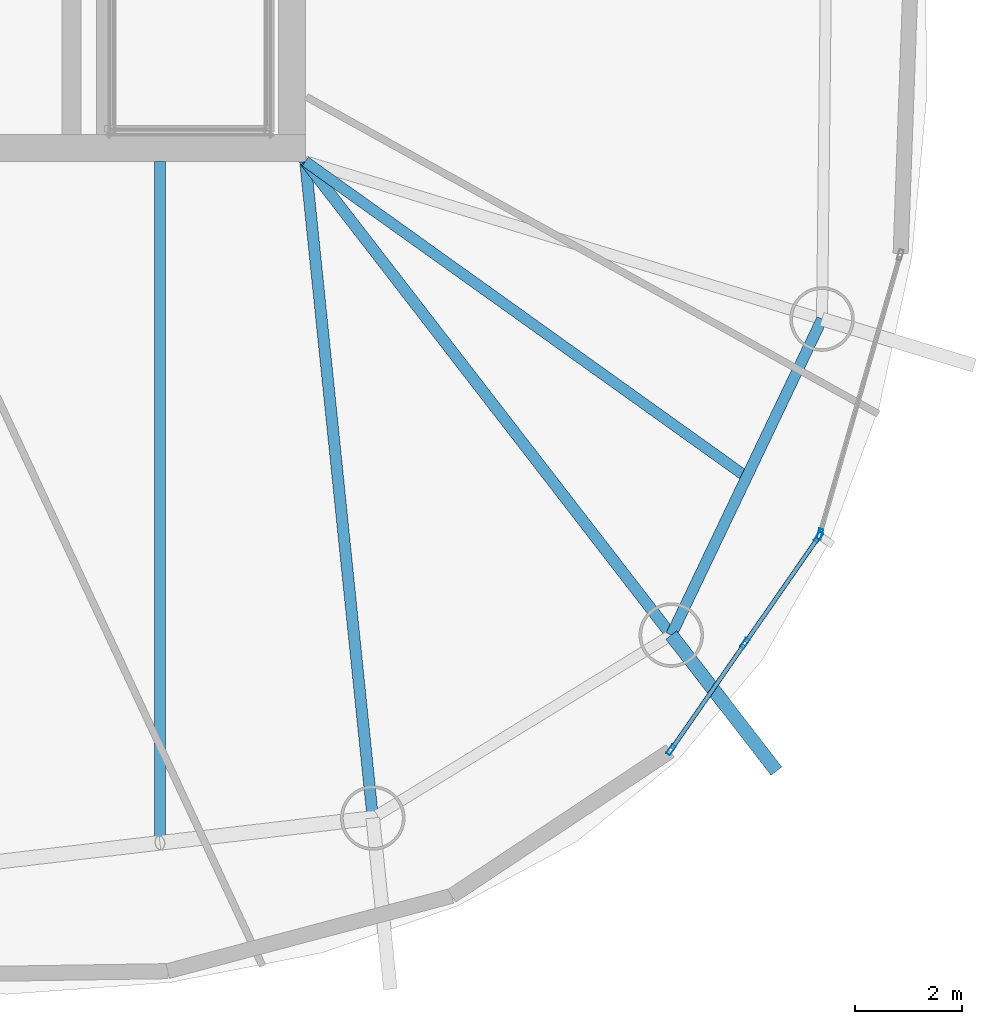
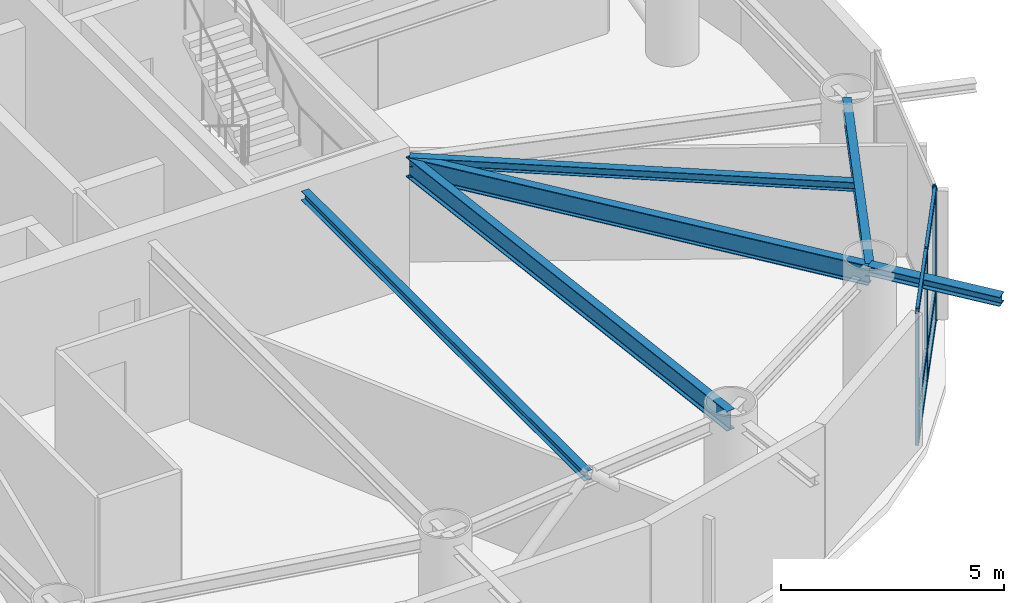
# One storey, part 6 of 22: 10 members, 6 beams, 2 elements without a shape of their own.
"""IFC4 building model written with IfcOpenShell, lengths in metres."""

from ifc_helpers import new_model, si_unit, direction, frame, origin, origin_2d, place, context, subcontext, project, spatial, hollow_rectangle, i_section, extrude, material, layer, layer_set, material_profile, profile_set, type_object, element, aggregate, save


model = new_model("IFC4")

# Units and contexts
model_context = context("Model", 3, precision=1e-05, world=origin(), true_north=direction((0.0, 1.0)))
body_context = subcontext(model_context, "Body", "Model", "MODEL_VIEW")
ifc_project = project(units=[si_unit("LENGTHUNIT", "METRE"), si_unit("AREAUNIT", "SQUARE_METRE"), si_unit("VOLUMEUNIT", "CUBIC_METRE"), si_unit("PLANEANGLEUNIT", "RADIAN"), si_unit("MASSUNIT", "GRAM", prefix="KILO")], contexts=[model_context])

# Site, building, storey
site_placement = place(None, origin())
site = spatial("IfcSite", under=ifc_project, at=site_placement, CompositionType="ELEMENT")
building_placement = place(site_placement, origin())
building = spatial("IfcBuilding", under=site, at=building_placement, Name="Bramvorn Convention Spire", CompositionType="ELEMENT")
storey_placement = place(building_placement, frame((0.0, 0.0, 213.550048828125)))
storey = spatial("IfcBuildingStorey", under=building, at=storey_placement, Name="L54", CompositionType="ELEMENT", Elevation=213.550048828125)

# Beams
ifc_material_1 = material(Name="Steel CSA G40.21 Grade 350 (350W)", Category="steel")
ifc_material_profile_1 = material_profile(ifc_material_1, i_section(OverallWidth=0.201904296875, OverallDepth=0.2470703125, WebThickness=0.00732421875, FlangeThickness=0.010986328125, FilletRadius=0.011962890625, at=origin_2d()))
ifc_profile_set_1 = profile_set([ifc_material_profile_1], Name="Steel CSA G40.21 Grade 350 (350W) - W250X49")
beam_type_1 = type_object("IfcBeamType", Name="BM-W250X49", PredefinedType="JOIST", material=ifc_profile_set_1)
beam_1_placement = place(storey_placement, frame((49.25, 18.550048828125, 3.496337890625), z_axis=(0.813471895271, -0.581604225916, 0.0), x_axis=(0.581604225916, 0.813471895271, 0.0)))
element("IfcBeam", 1, at=beam_1_placement, inside=storey, type_object=beam_type_1, Name="L54 composite floor joist 01", PredefinedType="JOIST", context=body_context, shape_type="SweptSolid", body=[
    extrude(i_section(OverallWidth=0.201904296875, OverallDepth=0.2470703125, WebThickness=0.00732421875, FlangeThickness=0.010986328125, FilletRadius=0.011962890625, at=origin_2d()), origin(), (0.0, 0.0, 1.0), 10.093505859375),
])
beam_2_placement = place(storey_placement, frame((46.544189453125, 18.550048828125, 3.496337890625), z_axis=(0.0, -1.0, 0.0), x_axis=(1.0, 0.0, 0.0)))
element("IfcBeam", 2, at=beam_2_placement, inside=storey, type_object=beam_type_1, Name="L54 composite floor joist 15", PredefinedType="JOIST", context=body_context, shape_type="SweptSolid", body=[
    extrude(i_section(OverallWidth=0.201904296875, OverallDepth=0.2470703125, WebThickness=0.00732421875, FlangeThickness=0.010986328125, FilletRadius=0.011962890625, at=origin_2d()), origin(), (0.0, 0.0, 1.0), 12.67626953125),
])
ifc_material_profile_2 = material_profile(ifc_material_1, i_section(OverallWidth=0.25390625, OverallDepth=0.2529296875, WebThickness=0.008544921875, FlangeThickness=0.01416015625, FilletRadius=0.011962890625, at=origin_2d()))
ifc_profile_set_2 = profile_set([ifc_material_profile_2], Name="Steel CSA G40.21 Grade 350 (350W) - W250X73")
beam_type_2 = type_object("IfcBeamType", Name="BM-W250X73", PredefinedType="BEAM", material=ifc_profile_set_2)
beam_3_placement = place(storey_placement, frame((56.058349609375, 9.739990234375, 3.493408203125), z_axis=(0.611497441422, -0.791246408607, 0.0), x_axis=(0.791246408607, 0.611497441422, 0.0)))
element("IfcBeam", 3, at=beam_3_placement, inside=storey, type_object=beam_type_2, Name="L54 slab-edge cantilever tip beam MC01", PredefinedType="BEAM", context=body_context, shape_type="SweptSolid", body=[
    extrude(i_section(OverallWidth=0.25390625, OverallDepth=0.2529296875, WebThickness=0.008544921875, FlangeThickness=0.01416015625, FilletRadius=0.011962890625, at=origin_2d()), origin(), (0.0, 0.0, 1.0), 3.199951171875),
])
ifc_material_profile_3 = material_profile(ifc_material_1, i_section(OverallWidth=0.205078125, OverallDepth=0.35400390625, WebThickness=0.009521484375, FlangeThickness=0.016845703125, FilletRadius=0.014892578125, at=origin_2d()))
ifc_profile_set_3 = profile_set([ifc_material_profile_3], Name="Steel CSA G40.21 Grade 350 (350W) - W360X79")
beam_type_3 = type_object("IfcBeamType", Name="BM-W360X79", PredefinedType="JOIST", material=ifc_profile_set_3)
beam_4_placement = place(storey_placement, frame((56.058349609375, 9.739990234375, 3.44287109375), z_axis=(0.430556138422, 0.902563799223, 0.0), x_axis=(-0.902563799223, 0.430556138422, 0.0)))
element("IfcBeam", 4, at=beam_4_placement, inside=storey, type_object=beam_type_3, Name="L54 mega-column ring beam 01", PredefinedType="JOIST", context=body_context, shape_type="SweptSolid", body=[
    extrude(i_section(OverallWidth=0.205078125, OverallDepth=0.35400390625, WebThickness=0.009521484375, FlangeThickness=0.016845703125, FilletRadius=0.014892578125, at=origin_2d()), origin(), (0.0, 0.0, 1.0), 6.51416015625),
])
ifc_material_profile_4 = material_profile(ifc_material_1, i_section(OverallWidth=0.2119140625, OverallDepth=0.5439453125, WebThickness=0.01318359375, FlangeThickness=0.021240234375, FilletRadius=0.01904296875, at=origin_2d()))
ifc_profile_set_4 = profile_set([ifc_material_profile_4], Name="Steel CSA G40.21 Grade 350 (350W) - W530X123")
beam_type_4 = type_object("IfcBeamType", Name="BM-W530X123", PredefinedType="BEAM", material=ifc_profile_set_4)
beam_5_placement = place(storey_placement, frame((49.25, 18.550048828125, 3.347900390625), z_axis=(0.611479951477, -0.791259925019, 0.0), x_axis=(0.791259925019, 0.611479951477, 0.0)))
element("IfcBeam", 5, at=beam_5_placement, inside=storey, type_object=beam_type_4, Name="L54 radial floor girder MC01", PredefinedType="BEAM", context=body_context, shape_type="SweptSolid", body=[
    extrude(i_section(OverallWidth=0.2119140625, OverallDepth=0.5439453125, WebThickness=0.01318359375, FlangeThickness=0.021240234375, FilletRadius=0.01904296875, at=origin_2d()), origin(), (0.0, 0.0, 1.0), 11.13427734375),
])
beam_6_placement = place(storey_placement, frame((49.25, 18.550048828125, 3.347900390625), z_axis=(0.10216509146, -0.994767457292, 0.0), x_axis=(0.994767457292, 0.10216509146, 0.0)))
element("IfcBeam", 6, at=beam_6_placement, inside=storey, type_object=beam_type_4, Name="L54 radial floor girder MC16", PredefinedType="BEAM", context=body_context, shape_type="SweptSolid", body=[
    extrude(i_section(OverallWidth=0.2119140625, OverallDepth=0.5439453125, WebThickness=0.01318359375, FlangeThickness=0.021240234375, FilletRadius=0.01904296875, at=origin_2d()), origin(), (0.0, 0.0, 1.0), 12.278076171875),
])

# Curtain wall, members
ifc_material_2 = material(Name="Anodised Bronze Unitised Curtain Wall", Category="aluminium")
ifc_layer = layer(ifc_material_2, 0.179931640625)
ifc_layer_set = layer_set([ifc_layer], Name="Anodised Bronze Unitised Curtain Wall - CW-OFF-FRIT")
curtain_wall_type = type_object("IfcCurtainWallType", Name="CW-OFF-FRIT", PredefinedType="USERDEFINED", material=ifc_layer_set)
curtain_wall_1_placement = place(storey_placement, origin())
curtain_wall_1 = element("IfcCurtainWall", 7, at=curtain_wall_1_placement, inside=storey, type_object=curtain_wall_type, Name="L54 fritted glass curtain wall 01", ObjectType="UNITISED CURTAIN WALL", PredefinedType="USERDEFINED")
ifc_material_3 = material(Name="Anodised Bronze Aluminium 6063-T6", Category="aluminium")
ifc_material_profile_5 = material_profile(ifc_material_3, hollow_rectangle(XDim=0.080078125, YDim=0.199951171875, WallThickness=0.00390625, InnerFilletRadius=0.0009765625, OuterFilletRadius=0.00390625, at=origin_2d()))
ifc_profile_set_5 = profile_set([ifc_material_profile_5], Name="Anodised Bronze Aluminium 6063-T6 - CWM80X200")
member_type_1 = type_object("IfcMemberType", Name="CW-MUL-180", PredefinedType="MULLION", material=ifc_profile_set_5)
member_1_placement = place(storey_placement, frame((58.798583984375, 11.563720703125, 0.0), z_axis=(0.0, 0.0, 1.0), x_axis=(0.821813279113, -0.569756908053, 0.0)))
member_1 = element("IfcMember", 8, at=member_1_placement, type_object=member_type_1, Name="CW3 mullion 1", PredefinedType="MULLION", context=body_context, shape_type="SweptSolid", body=[
    extrude(hollow_rectangle(XDim=0.080078125, YDim=0.199951171875, WallThickness=0.00390625, InnerFilletRadius=0.0009765625, OuterFilletRadius=0.00390625, at=origin_2d()), origin(), (0.0, 0.0, 1.0), 3.619873046875),
])
member_2_placement = place(storey_placement, frame((57.426513671875, 9.584716796875, 0.0), z_axis=(0.0, 0.0, 1.0), x_axis=(0.821813279113, -0.569756908053, 0.0)))
member_2 = element("IfcMember", 9, at=member_2_placement, type_object=member_type_1, Name="CW3 mullion 2", PredefinedType="MULLION", context=body_context, shape_type="SweptSolid", body=[
    extrude(hollow_rectangle(XDim=0.080078125, YDim=0.199951171875, WallThickness=0.00390625, InnerFilletRadius=0.0009765625, OuterFilletRadius=0.00390625, at=origin_2d()), origin(), (0.0, 0.0, 1.0), 3.619873046875),
])
member_3_placement = place(storey_placement, frame((56.054443359375, 7.60546875, 0.0), z_axis=(0.0, 0.0, 1.0), x_axis=(0.821813279113, -0.569756908053, 0.0)))
member_3 = element("IfcMember", 10, at=member_3_placement, type_object=member_type_1, Name="CW3 mullion 3", PredefinedType="MULLION", context=body_context, shape_type="SweptSolid", body=[
    extrude(hollow_rectangle(XDim=0.080078125, YDim=0.199951171875, WallThickness=0.00390625, InnerFilletRadius=0.0009765625, OuterFilletRadius=0.00390625, at=origin_2d()), origin(), (0.0, 0.0, 1.0), 3.619873046875),
])

# Curtain wall, member
curtain_wall_2_placement = place(storey_placement, origin())
curtain_wall_2 = element("IfcCurtainWall", 11, at=curtain_wall_2_placement, inside=storey, type_object=curtain_wall_type, Name="L54 fritted glass curtain wall 02", ObjectType="UNITISED CURTAIN WALL", PredefinedType="USERDEFINED")
member_4_placement = place(storey_placement, frame((58.823974609375, 11.6171875, 0.0), z_axis=(0.0, 0.0, 1.0), x_axis=(0.961036981373, -0.276419826411, 0.0)))
member_4 = element("IfcMember", 12, at=member_4_placement, type_object=member_type_1, Name="CW3 mullion 2", PredefinedType="MULLION", context=body_context, shape_type="SweptSolid", body=[
    extrude(hollow_rectangle(XDim=0.080078125, YDim=0.199951171875, WallThickness=0.00390625, InnerFilletRadius=0.0009765625, OuterFilletRadius=0.00390625, at=origin_2d()), origin(), (0.0, 0.0, 1.0), 3.619873046875),
])
aggregate(curtain_wall_2, [member_4])

# Member
ifc_material_profile_6 = material_profile(ifc_material_3, hollow_rectangle(XDim=0.080078125, YDim=0.159912109375, WallThickness=0.00390625, InnerFilletRadius=0.0009765625, OuterFilletRadius=0.00390625, at=origin_2d()))
ifc_profile_set_6 = profile_set([ifc_material_profile_6], Name="Anodised Bronze Aluminium 6063-T6 - CWT80X160")
member_type_2 = type_object("IfcMemberType", Name="CW-TRN-150", PredefinedType="USERDEFINED", material=ifc_profile_set_6)
member_5_placement = place(storey_placement, frame((58.781494140625, 11.5390625, 0.030029296875), z_axis=(-0.569772131795, -0.821802724399, 0.0), x_axis=(0.821802724399, -0.569772131795, 0.0)))
member_5 = element("IfcMember", 13, at=member_5_placement, type_object=member_type_2, Name="CW3 transom 1.1", ObjectType="TRANSOM", PredefinedType="USERDEFINED", context=body_context, shape_type="SweptSolid", body=[
    extrude(hollow_rectangle(XDim=0.080078125, YDim=0.159912109375, WallThickness=0.00390625, InnerFilletRadius=0.0009765625, OuterFilletRadius=0.00390625, at=origin_2d()), origin(), (0.0, 0.0, 1.0), 2.34814453125),
])

member_6_placement = place(storey_placement, frame((58.781494140625, 11.5390625, 0.89990234375), z_axis=(-0.569772131795, -0.821802724399, 0.0), x_axis=(0.821802724399, -0.569772131795, 0.0)))
member_6 = element("IfcMember", 14, at=member_6_placement, type_object=member_type_2, Name="CW3 transom 1.2", ObjectType="TRANSOM", PredefinedType="USERDEFINED", context=body_context, shape_type="SweptSolid", body=[
    extrude(hollow_rectangle(XDim=0.080078125, YDim=0.159912109375, WallThickness=0.00390625, InnerFilletRadius=0.0009765625, OuterFilletRadius=0.00390625, at=origin_2d()), origin(), (0.0, 0.0, 1.0), 2.34814453125),
])

member_7_placement = place(storey_placement, frame((58.781494140625, 11.5390625, 3.58984375), z_axis=(-0.569772131795, -0.821802724399, 0.0), x_axis=(0.821802724399, -0.569772131795, 0.0)))
member_7 = element("IfcMember", 15, at=member_7_placement, type_object=member_type_2, Name="CW3 transom 1.3", ObjectType="TRANSOM", PredefinedType="USERDEFINED", context=body_context, shape_type="SweptSolid", body=[
    extrude(hollow_rectangle(XDim=0.080078125, YDim=0.159912109375, WallThickness=0.00390625, InnerFilletRadius=0.0009765625, OuterFilletRadius=0.00390625, at=origin_2d()), origin(), (0.0, 0.0, 1.0), 2.34814453125),
])

member_8_placement = place(storey_placement, frame((57.409423828125, 9.56005859375, 0.030029296875), z_axis=(-0.569723450599, -0.821836473903, 0.0), x_axis=(0.821836473903, -0.569723450599, 0.0)))
member_8 = element("IfcMember", 16, at=member_8_placement, type_object=member_type_2, Name="CW3 transom 2.1", ObjectType="TRANSOM", PredefinedType="USERDEFINED", context=body_context, shape_type="SweptSolid", body=[
    extrude(hollow_rectangle(XDim=0.080078125, YDim=0.159912109375, WallThickness=0.00390625, InnerFilletRadius=0.0009765625, OuterFilletRadius=0.00390625, at=origin_2d()), origin(), (0.0, 0.0, 1.0), 2.348388671875),
])

member_9_placement = place(storey_placement, frame((57.409423828125, 9.56005859375, 0.89990234375), z_axis=(-0.569723450599, -0.821836473903, 0.0), x_axis=(0.821836473903, -0.569723450599, 0.0)))
member_9 = element("IfcMember", 17, at=member_9_placement, type_object=member_type_2, Name="CW3 transom 2.2", ObjectType="TRANSOM", PredefinedType="USERDEFINED", context=body_context, shape_type="SweptSolid", body=[
    extrude(hollow_rectangle(XDim=0.080078125, YDim=0.159912109375, WallThickness=0.00390625, InnerFilletRadius=0.0009765625, OuterFilletRadius=0.00390625, at=origin_2d()), origin(), (0.0, 0.0, 1.0), 2.348388671875),
])

member_10_placement = place(storey_placement, frame((57.409423828125, 9.56005859375, 3.58984375), z_axis=(-0.569723450599, -0.821836473903, 0.0), x_axis=(0.821836473903, -0.569723450599, 0.0)))
member_10 = element("IfcMember", 18, at=member_10_placement, type_object=member_type_2, Name="CW3 transom 2.3", ObjectType="TRANSOM", PredefinedType="USERDEFINED", context=body_context, shape_type="SweptSolid", body=[
    extrude(hollow_rectangle(XDim=0.080078125, YDim=0.159912109375, WallThickness=0.00390625, InnerFilletRadius=0.0009765625, OuterFilletRadius=0.00390625, at=origin_2d()), origin(), (0.0, 0.0, 1.0), 2.348388671875),
])

aggregate(curtain_wall_1, [member_1, member_2, member_3, member_5, member_6, member_7, member_8, member_9, member_10])

save(model, "model.ifc")
